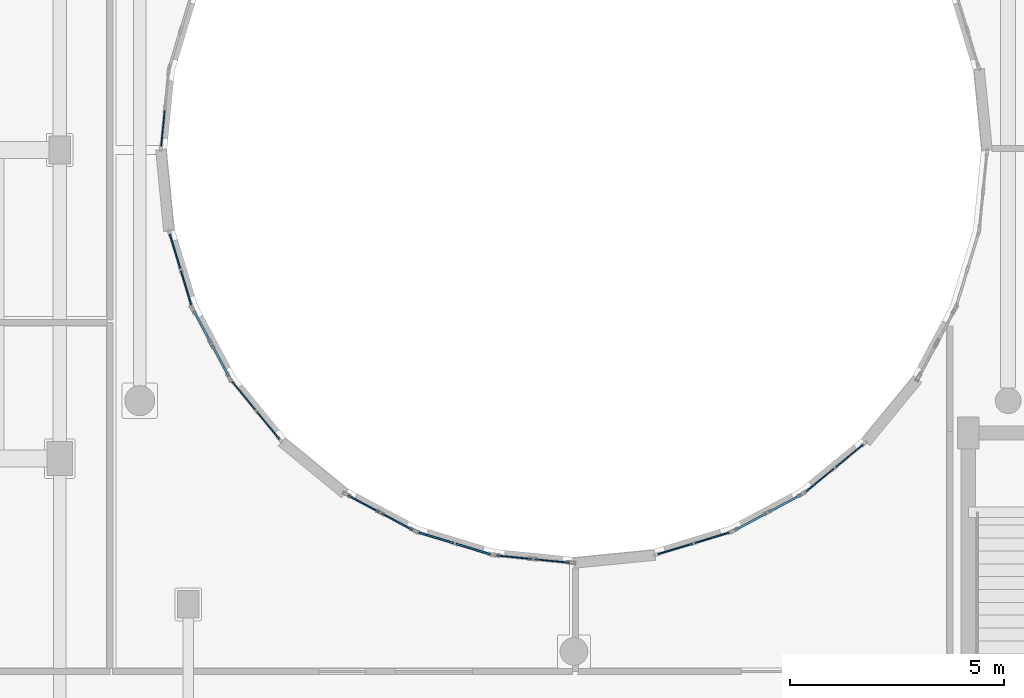
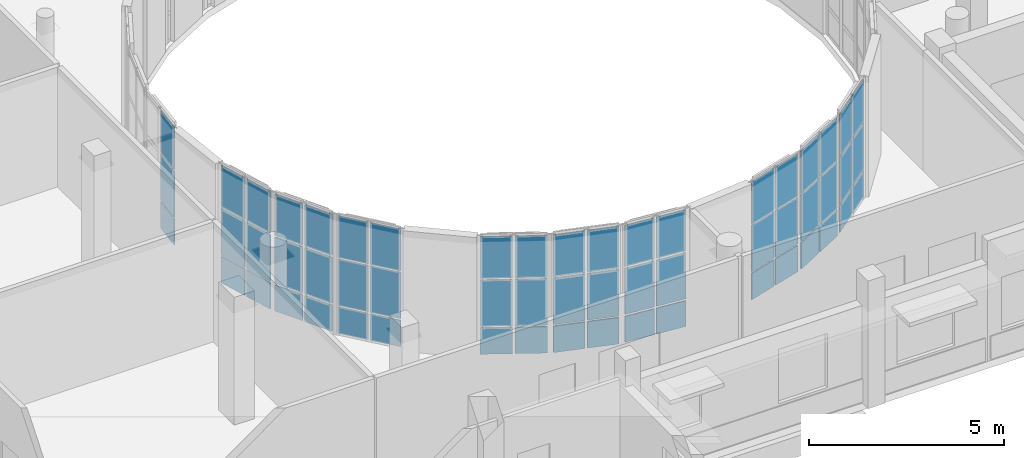
# One storey, part 59 of 89: 57 plates, 10 elements without a shape of their own.
"""IFC4 building model written with IfcOpenShell, lengths in metres."""

from ifc_helpers import new_model, si_unit, direction, frame, origin, origin_2d, place, context, subcontext, project, spatial, rectangle, extrude, material, layer, layer_set, type_object, element, aggregate, save


model = new_model("IFC4")

# Units and contexts
model_context = context("Model", 3, precision=1e-05, world=origin(), true_north=direction((0.0, 1.0)))
body_context = subcontext(model_context, "Body", "Model", "MODEL_VIEW")
ifc_project = project(units=[si_unit("LENGTHUNIT", "METRE"), si_unit("AREAUNIT", "SQUARE_METRE"), si_unit("VOLUMEUNIT", "CUBIC_METRE"), si_unit("PLANEANGLEUNIT", "RADIAN"), si_unit("MASSUNIT", "GRAM", prefix="KILO")], contexts=[model_context])

# Site, building, storey
site_placement = place(None, origin())
site = spatial("IfcSite", under=ifc_project, at=site_placement, CompositionType="ELEMENT")
building_placement = place(site_placement, origin())
building = spatial("IfcBuilding", under=site, at=building_placement, Name="Kelanivale Promenade Academy", CompositionType="ELEMENT")
storey_placement = place(building_placement, frame((0.0, 0.0, 12.199951171875)))
storey = spatial("IfcBuildingStorey", under=building, at=storey_placement, Name="L03", CompositionType="ELEMENT", Elevation=12.199951171875)

# Curtain wall, plates
ifc_material_1 = material(Name="Bronze anodised aluminium and solar-control low-E glass", Category="aluminium")
ifc_layer_1 = layer(ifc_material_1, 0.169921875)
ifc_layer_set_1 = layer_set([ifc_layer_1], Name="Bronze anodised aluminium and solar-control low-E glass")
curtain_wall_type_1 = type_object("IfcCurtainWallType", Name="CW-22 Curtain Wall 1800mm Module", PredefinedType="USERDEFINED", material=ifc_layer_set_1)
curtain_wall_1_placement = place(storey_placement, origin())
curtain_wall_1 = element("IfcCurtainWall", 1, at=curtain_wall_1_placement, inside=storey, type_object=curtain_wall_type_1, Name="L03 courtyard curtain wall CW-22", ObjectType="COURTYARD SCREEN GLAZING", PredefinedType="USERDEFINED")
ifc_material_2 = material(Name="Solar-control double glazing 28 mm", Category="glass")
ifc_layer_2 = layer(ifc_material_2, 0.028076171875)
ifc_layer_set_2 = layer_set([ifc_layer_2], Name="Solar-control double glazing 28 mm")
plate_type_1 = type_object("IfcPlateType", Name="CWP-01 Plate 28mm", PredefinedType="CURTAIN_PANEL", material=ifc_layer_set_2)
plate_1_placement = place(storey_placement, frame((89.208984375, 57.303466796875, 0.05029296875), z_axis=(0.0, 0.0, 1.0), x_axis=(-0.098538762159, -0.99513321337, 0.0)))
plate_1 = element("IfcPlate", 2, at=plate_1_placement, type_object=plate_type_1, Name="CW-22 panel 2.1", PredefinedType="CURTAIN_PANEL", context=body_context, shape_type="SweptSolid", body=[
    extrude(rectangle(XDim=0.83349609375, YDim=0.028076171875, at=origin_2d()), origin(), (0.0, 0.0, 1.0), 0.824951171875),
])
plate_2_placement = place(storey_placement, frame((89.208984375, 57.303466796875, 0.92529296875), z_axis=(0.0, 0.0, 1.0), x_axis=(-0.098538762159, -0.99513321337, 0.0)))
plate_2 = element("IfcPlate", 3, at=plate_2_placement, type_object=plate_type_1, Name="CW-22 panel 2.2", PredefinedType="CURTAIN_PANEL", context=body_context, shape_type="SweptSolid", body=[
    extrude(rectangle(XDim=0.83349609375, YDim=0.028076171875, at=origin_2d()), origin(), (0.0, 0.0, 1.0), 1.449951171875),
])
plate_3_placement = place(storey_placement, frame((89.208984375, 57.303466796875, 2.42529296875), z_axis=(0.0, 0.0, 1.0), x_axis=(-0.098538762159, -0.99513321337, 0.0)))
plate_3 = element("IfcPlate", 4, at=plate_3_placement, type_object=plate_type_1, Name="CW-22 panel 2.3", PredefinedType="CURTAIN_PANEL", context=body_context, shape_type="SweptSolid", body=[
    extrude(rectangle(XDim=0.83349609375, YDim=0.028076171875, at=origin_2d()), origin(), (0.0, 0.0, 1.0), 1.304931640625),
])
aggregate(curtain_wall_1, [plate_1, plate_2, plate_3])

ifc_layer_3 = layer(ifc_material_1, 0.169921875)
ifc_layer_set_3 = layer_set([ifc_layer_3], Name="Bronze anodised aluminium and solar-control low-E glass")
curtain_wall_type_2 = type_object("IfcCurtainWallType", Name="CW-01 Curtain Wall 1350mm Module", PredefinedType="USERDEFINED", material=ifc_layer_set_3)
curtain_wall_2_placement = place(storey_placement, origin())
curtain_wall_2 = element("IfcCurtainWall", 5, at=curtain_wall_2_placement, inside=storey, type_object=curtain_wall_type_2, Name="L03 courtyard curtain wall CW-01", ObjectType="UNITISED GLAZING", PredefinedType="USERDEFINED")
plate_4_placement = place(storey_placement, frame((91.09521484375, 51.064453125, 0.05029296875), z_axis=(0.0, 0.0, 1.0), x_axis=(0.634092539482, -0.773257170269, 0.0)))
plate_4 = element("IfcPlate", 6, at=plate_4_placement, type_object=plate_type_1, Name="CW-01 panel 1.1", PredefinedType="CURTAIN_PANEL", context=body_context, shape_type="SweptSolid", body=[
    extrude(rectangle(XDim=0.833251953125, YDim=0.028076171875, at=origin_2d()), origin(), (0.0, 0.0, 1.0), 0.824951171875),
])
plate_5_placement = place(storey_placement, frame((91.09521484375, 51.064453125, 0.92529296875), z_axis=(0.0, 0.0, 1.0), x_axis=(0.634092539482, -0.773257170269, 0.0)))
plate_5 = element("IfcPlate", 7, at=plate_5_placement, type_object=plate_type_1, Name="CW-01 panel 1.2", PredefinedType="CURTAIN_PANEL", context=body_context, shape_type="SweptSolid", body=[
    extrude(rectangle(XDim=0.833251953125, YDim=0.028076171875, at=origin_2d()), origin(), (0.0, 0.0, 1.0), 1.449951171875),
])
plate_6_placement = place(storey_placement, frame((91.09521484375, 51.064453125, 2.42529296875), z_axis=(0.0, 0.0, 1.0), x_axis=(0.634092539482, -0.773257170269, 0.0)))
plate_6 = element("IfcPlate", 8, at=plate_6_placement, type_object=plate_type_1, Name="CW-01 panel 1.3", PredefinedType="CURTAIN_PANEL", context=body_context, shape_type="SweptSolid", body=[
    extrude(rectangle(XDim=0.833251953125, YDim=0.028076171875, at=origin_2d()), origin(), (0.0, 0.0, 1.0), 1.304931640625),
])
plate_7_placement = place(storey_placement, frame((91.66162109375, 50.37353515625, 0.05029296875), z_axis=(0.0, 0.0, 1.0), x_axis=(0.634092539482, -0.773257170269, 0.0)))
plate_7 = element("IfcPlate", 9, at=plate_7_placement, type_object=plate_type_1, Name="CW-01 panel 2.1", PredefinedType="CURTAIN_PANEL", context=body_context, shape_type="SweptSolid", body=[
    extrude(rectangle(XDim=0.833251953125, YDim=0.028076171875, at=origin_2d()), origin(), (0.0, 0.0, 1.0), 0.824951171875),
])
plate_8_placement = place(storey_placement, frame((91.66162109375, 50.37353515625, 0.92529296875), z_axis=(0.0, 0.0, 1.0), x_axis=(0.634092539482, -0.773257170269, 0.0)))
plate_8 = element("IfcPlate", 10, at=plate_8_placement, type_object=plate_type_1, Name="CW-01 panel 2.2", PredefinedType="CURTAIN_PANEL", context=body_context, shape_type="SweptSolid", body=[
    extrude(rectangle(XDim=0.833251953125, YDim=0.028076171875, at=origin_2d()), origin(), (0.0, 0.0, 1.0), 1.449951171875),
])
plate_9_placement = place(storey_placement, frame((91.66162109375, 50.37353515625, 2.42529296875), z_axis=(0.0, 0.0, 1.0), x_axis=(0.634092539482, -0.773257170269, 0.0)))
plate_9 = element("IfcPlate", 11, at=plate_9_placement, type_object=plate_type_1, Name="CW-01 panel 2.3", PredefinedType="CURTAIN_PANEL", context=body_context, shape_type="SweptSolid", body=[
    extrude(rectangle(XDim=0.833251953125, YDim=0.028076171875, at=origin_2d()), origin(), (0.0, 0.0, 1.0), 1.304931640625),
])
aggregate(curtain_wall_2, [plate_4, plate_5, plate_6, plate_7, plate_8, plate_9])

ifc_layer_4 = layer(ifc_material_1, 0.169921875)
ifc_layer_set_4 = layer_set([ifc_layer_4], Name="Bronze anodised aluminium and solar-control low-E glass")
curtain_wall_type_3 = type_object("IfcCurtainWallType", Name="CW-04 Curtain Wall 1800mm Module", PredefinedType="USERDEFINED", material=ifc_layer_set_4)
curtain_wall_3_placement = place(storey_placement, origin())
curtain_wall_3 = element("IfcCurtainWall", 12, at=curtain_wall_3_placement, inside=storey, type_object=curtain_wall_type_3, Name="L03 courtyard curtain wall CW-04", ObjectType="UNITISED GLAZING", PredefinedType="USERDEFINED")
plate_10_placement = place(storey_placement, frame((97.40869140625, 47.296875, 0.06005859375), z_axis=(0.0, 0.0, 1.0), x_axis=(0.99513321337, -0.098538762159, 0.0)))
plate_10 = element("IfcPlate", 13, at=plate_10_placement, type_object=plate_type_1, Name="CW-04 panel 1.1", PredefinedType="CURTAIN_PANEL", context=body_context, shape_type="SweptSolid", body=[
    extrude(rectangle(XDim=0.825927734375, YDim=0.028076171875, at=origin_2d()), origin(), (0.0, 0.0, 1.0), 0.81005859375),
])
plate_11_placement = place(storey_placement, frame((97.40869140625, 47.296875, 0.93017578125), z_axis=(0.0, 0.0, 1.0), x_axis=(0.99513321337, -0.098538762159, 0.0)))
plate_11 = element("IfcPlate", 14, at=plate_11_placement, type_object=plate_type_1, Name="CW-04 panel 1.2", PredefinedType="CURTAIN_PANEL", context=body_context, shape_type="SweptSolid", body=[
    extrude(rectangle(XDim=0.825927734375, YDim=0.028076171875, at=origin_2d()), origin(), (0.0, 0.0, 1.0), 1.43994140625),
])
plate_12_placement = place(storey_placement, frame((97.40869140625, 47.296875, 2.429931640625), z_axis=(0.0, 0.0, 1.0), x_axis=(0.99513321337, -0.098538762159, 0.0)))
plate_12 = element("IfcPlate", 15, at=plate_12_placement, type_object=plate_type_1, Name="CW-04 panel 1.3", PredefinedType="CURTAIN_PANEL", context=body_context, shape_type="SweptSolid", body=[
    extrude(rectangle(XDim=0.825927734375, YDim=0.028076171875, at=origin_2d()), origin(), (0.0, 0.0, 1.0), 1.2900390625),
])
plate_13_placement = place(storey_placement, frame((98.29541015625, 47.208984375, 0.06005859375), z_axis=(0.0, 0.0, 1.0), x_axis=(0.99513321337, -0.098538762159, 0.0)))
plate_13 = element("IfcPlate", 16, at=plate_13_placement, type_object=plate_type_1, Name="CW-04 panel 2.1", PredefinedType="CURTAIN_PANEL", context=body_context, shape_type="SweptSolid", body=[
    extrude(rectangle(XDim=0.825927734375, YDim=0.028076171875, at=origin_2d()), origin(), (0.0, 0.0, 1.0), 0.81005859375),
])
plate_14_placement = place(storey_placement, frame((98.29541015625, 47.208984375, 0.93017578125), z_axis=(0.0, 0.0, 1.0), x_axis=(0.99513321337, -0.098538762159, 0.0)))
plate_14 = element("IfcPlate", 17, at=plate_14_placement, type_object=plate_type_1, Name="CW-04 panel 2.2", PredefinedType="CURTAIN_PANEL", context=body_context, shape_type="SweptSolid", body=[
    extrude(rectangle(XDim=0.825927734375, YDim=0.028076171875, at=origin_2d()), origin(), (0.0, 0.0, 1.0), 1.43994140625),
])
plate_15_placement = place(storey_placement, frame((98.29541015625, 47.208984375, 2.429931640625), z_axis=(0.0, 0.0, 1.0), x_axis=(0.99513321337, -0.098538762159, 0.0)))
plate_15 = element("IfcPlate", 18, at=plate_15_placement, type_object=plate_type_1, Name="CW-04 panel 2.3", PredefinedType="CURTAIN_PANEL", context=body_context, shape_type="SweptSolid", body=[
    extrude(rectangle(XDim=0.825927734375, YDim=0.028076171875, at=origin_2d()), origin(), (0.0, 0.0, 1.0), 1.2900390625),
])
aggregate(curtain_wall_3, [plate_10, plate_11, plate_12, plate_13, plate_14, plate_15])

ifc_layer_5 = layer(ifc_material_1, 0.169921875)
ifc_layer_set_5 = layer_set([ifc_layer_5], Name="Bronze anodised aluminium and solar-control low-E glass")
curtain_wall_type_4 = type_object("IfcCurtainWallType", Name="CW-07 Curtain Wall 1350mm Module", PredefinedType="USERDEFINED", material=ifc_layer_set_5)
curtain_wall_4_placement = place(storey_placement, origin())
curtain_wall_4 = element("IfcCurtainWall", 19, at=curtain_wall_4_placement, inside=storey, type_object=curtain_wall_type_4, Name="L03 courtyard curtain wall CW-07", ObjectType="UNITISED GLAZING", PredefinedType="USERDEFINED")
plate_16_placement = place(storey_placement, frame((104.53662109375, 49.095947265625, 0.05029296875), z_axis=(0.0, 0.0, 1.0), x_axis=(0.773257170269, 0.634092539482, 0.0)))
plate_16 = element("IfcPlate", 20, at=plate_16_placement, type_object=plate_type_1, Name="CW-07 panel 1.1", PredefinedType="CURTAIN_PANEL", context=body_context, shape_type="SweptSolid", body=[
    extrude(rectangle(XDim=0.825927734375, YDim=0.028076171875, at=origin_2d()), origin(), (0.0, 0.0, 1.0), 0.824951171875),
])
plate_17_placement = place(storey_placement, frame((104.53662109375, 49.095947265625, 0.92529296875), z_axis=(0.0, 0.0, 1.0), x_axis=(0.773257170269, 0.634092539482, 0.0)))
plate_17 = element("IfcPlate", 21, at=plate_17_placement, type_object=plate_type_1, Name="CW-07 panel 1.2", PredefinedType="CURTAIN_PANEL", context=body_context, shape_type="SweptSolid", body=[
    extrude(rectangle(XDim=0.825927734375, YDim=0.028076171875, at=origin_2d()), origin(), (0.0, 0.0, 1.0), 1.449951171875),
])
plate_18_placement = place(storey_placement, frame((104.53662109375, 49.095947265625, 2.42529296875), z_axis=(0.0, 0.0, 1.0), x_axis=(0.773257170269, 0.634092539482, 0.0)))
plate_18 = element("IfcPlate", 22, at=plate_18_placement, type_object=plate_type_1, Name="CW-07 panel 1.3", PredefinedType="CURTAIN_PANEL", context=body_context, shape_type="SweptSolid", body=[
    extrude(rectangle(XDim=0.825927734375, YDim=0.028076171875, at=origin_2d()), origin(), (0.0, 0.0, 1.0), 1.304931640625),
])
plate_19_placement = place(storey_placement, frame((105.225341796875, 49.660888671875, 0.05029296875), z_axis=(0.0, 0.0, 1.0), x_axis=(0.773257170269, 0.634092539482, 0.0)))
plate_19 = element("IfcPlate", 23, at=plate_19_placement, type_object=plate_type_1, Name="CW-07 panel 2.1", PredefinedType="CURTAIN_PANEL", context=body_context, shape_type="SweptSolid", body=[
    extrude(rectangle(XDim=0.825927734375, YDim=0.028076171875, at=origin_2d()), origin(), (0.0, 0.0, 1.0), 0.824951171875),
])
plate_20_placement = place(storey_placement, frame((105.225341796875, 49.660888671875, 0.92529296875), z_axis=(0.0, 0.0, 1.0), x_axis=(0.773257170269, 0.634092539482, 0.0)))
plate_20 = element("IfcPlate", 24, at=plate_20_placement, type_object=plate_type_1, Name="CW-07 panel 2.2", PredefinedType="CURTAIN_PANEL", context=body_context, shape_type="SweptSolid", body=[
    extrude(rectangle(XDim=0.825927734375, YDim=0.028076171875, at=origin_2d()), origin(), (0.0, 0.0, 1.0), 1.449951171875),
])
plate_21_placement = place(storey_placement, frame((105.225341796875, 49.660888671875, 2.42529296875), z_axis=(0.0, 0.0, 1.0), x_axis=(0.773257170269, 0.634092539482, 0.0)))
plate_21 = element("IfcPlate", 25, at=plate_21_placement, type_object=plate_type_1, Name="CW-07 panel 2.3", PredefinedType="CURTAIN_PANEL", context=body_context, shape_type="SweptSolid", body=[
    extrude(rectangle(XDim=0.825927734375, YDim=0.028076171875, at=origin_2d()), origin(), (0.0, 0.0, 1.0), 1.304931640625),
])
aggregate(curtain_wall_4, [plate_16, plate_17, plate_18, plate_19, plate_20, plate_21])

ifc_layer_6 = layer(ifc_material_1, 0.179931640625)
ifc_layer_set_6 = layer_set([ifc_layer_6], Name="Bronze anodised aluminium and solar-control low-E glass")
curtain_wall_type_5 = type_object("IfcCurtainWallType", Name="CW-23 Curtain Wall 1950mm Module", PredefinedType="USERDEFINED", material=ifc_layer_set_6)
curtain_wall_5_placement = place(storey_placement, origin())
curtain_wall_5 = element("IfcCurtainWall", 26, at=curtain_wall_5_placement, inside=storey, type_object=curtain_wall_type_5, Name="L03 courtyard curtain wall CW-23", ObjectType="COURTYARD SCREEN GLAZING", PredefinedType="USERDEFINED")
ifc_material_3 = material(Name="Acoustic laminated double glazing 36 mm", Category="glass")
ifc_layer_7 = layer(ifc_material_3, 0.035888671875)
ifc_layer_set_7 = layer_set([ifc_layer_7], Name="Acoustic laminated double glazing 36 mm")
plate_type_2 = type_object("IfcPlateType", Name="CWP-02 Plate 36mm", PredefinedType="CURTAIN_PANEL", material=ifc_layer_set_7)
plate_22_placement = place(storey_placement, frame((89.49169921875, 54.4345703125, 0.05029296875), z_axis=(0.0, 0.0, 1.0), x_axis=(0.290127576893, -0.956987977524, 0.0)))
plate_22 = element("IfcPlate", 27, at=plate_22_placement, type_object=plate_type_2, Name="CW-23 panel 1.1", PredefinedType="CURTAIN_PANEL", context=body_context, shape_type="SweptSolid", body=[
    extrude(rectangle(XDim=0.826171875, YDim=0.035888671875, at=origin_2d()), origin(), (0.0, 0.0, 1.0), 0.824951171875),
])
plate_23_placement = place(storey_placement, frame((89.49169921875, 54.4345703125, 0.92529296875), z_axis=(0.0, 0.0, 1.0), x_axis=(0.290127576893, -0.956987977524, 0.0)))
plate_23 = element("IfcPlate", 28, at=plate_23_placement, type_object=plate_type_2, Name="CW-23 panel 1.2", PredefinedType="CURTAIN_PANEL", context=body_context, shape_type="SweptSolid", body=[
    extrude(rectangle(XDim=0.826171875, YDim=0.035888671875, at=origin_2d()), origin(), (0.0, 0.0, 1.0), 1.449951171875),
])
plate_24_placement = place(storey_placement, frame((89.49169921875, 54.4345703125, 2.42529296875), z_axis=(0.0, 0.0, 1.0), x_axis=(0.290127576893, -0.956987977524, 0.0)))
plate_24 = element("IfcPlate", 29, at=plate_24_placement, type_object=plate_type_2, Name="CW-23 panel 1.3", PredefinedType="CURTAIN_PANEL", context=body_context, shape_type="SweptSolid", body=[
    extrude(rectangle(XDim=0.826171875, YDim=0.035888671875, at=origin_2d()), origin(), (0.0, 0.0, 1.0), 1.304931640625),
])
plate_25_placement = place(storey_placement, frame((89.750244140625, 53.58154296875, 0.05029296875), z_axis=(0.0, 0.0, 1.0), x_axis=(0.290127576893, -0.956987977524, 0.0)))
plate_25 = element("IfcPlate", 30, at=plate_25_placement, type_object=plate_type_2, Name="CW-23 panel 2.1", PredefinedType="CURTAIN_PANEL", context=body_context, shape_type="SweptSolid", body=[
    extrude(rectangle(XDim=0.826171875, YDim=0.035888671875, at=origin_2d()), origin(), (0.0, 0.0, 1.0), 0.824951171875),
])
plate_26_placement = place(storey_placement, frame((89.750244140625, 53.58154296875, 0.92529296875), z_axis=(0.0, 0.0, 1.0), x_axis=(0.290127576893, -0.956987977524, 0.0)))
plate_26 = element("IfcPlate", 31, at=plate_26_placement, type_object=plate_type_2, Name="CW-23 panel 2.2", PredefinedType="CURTAIN_PANEL", context=body_context, shape_type="SweptSolid", body=[
    extrude(rectangle(XDim=0.826171875, YDim=0.035888671875, at=origin_2d()), origin(), (0.0, 0.0, 1.0), 1.449951171875),
])
plate_27_placement = place(storey_placement, frame((89.750244140625, 53.58154296875, 2.42529296875), z_axis=(0.0, 0.0, 1.0), x_axis=(0.290127576893, -0.956987977524, 0.0)))
plate_27 = element("IfcPlate", 32, at=plate_27_placement, type_object=plate_type_2, Name="CW-23 panel 2.3", PredefinedType="CURTAIN_PANEL", context=body_context, shape_type="SweptSolid", body=[
    extrude(rectangle(XDim=0.826171875, YDim=0.035888671875, at=origin_2d()), origin(), (0.0, 0.0, 1.0), 1.304931640625),
])
aggregate(curtain_wall_5, [plate_22, plate_23, plate_24, plate_25, plate_26, plate_27])

ifc_layer_8 = layer(ifc_material_1, 0.179931640625)
ifc_layer_set_8 = layer_set([ifc_layer_8], Name="Bronze anodised aluminium and solar-control low-E glass")
curtain_wall_type_6 = type_object("IfcCurtainWallType", Name="CW-02 Curtain Wall 1500mm Module", PredefinedType="USERDEFINED", material=ifc_layer_set_8)
curtain_wall_6_placement = place(storey_placement, origin())
curtain_wall_6 = element("IfcCurtainWall", 33, at=curtain_wall_6_placement, inside=storey, type_object=curtain_wall_type_6, Name="L03 courtyard curtain wall CW-02", ObjectType="UNITISED GLAZING", PredefinedType="USERDEFINED")
plate_28_placement = place(storey_placement, frame((93.8896484375, 48.546142578125, 0.05029296875), z_axis=(0.0, 0.0, 1.0), x_axis=(0.881978204448, -0.471290193914, 0.0)))
plate_28 = element("IfcPlate", 34, at=plate_28_placement, type_object=plate_type_2, Name="CW-02 panel 1.1", PredefinedType="CURTAIN_PANEL", context=body_context, shape_type="SweptSolid", body=[
    extrude(rectangle(XDim=0.833984375, YDim=0.035888671875, at=origin_2d()), origin(), (0.0, 0.0, 1.0), 0.824951171875),
])
plate_29_placement = place(storey_placement, frame((93.8896484375, 48.546142578125, 0.92529296875), z_axis=(0.0, 0.0, 1.0), x_axis=(0.881978204448, -0.471290193914, 0.0)))
plate_29 = element("IfcPlate", 35, at=plate_29_placement, type_object=plate_type_2, Name="CW-02 panel 1.2", PredefinedType="CURTAIN_PANEL", context=body_context, shape_type="SweptSolid", body=[
    extrude(rectangle(XDim=0.833984375, YDim=0.035888671875, at=origin_2d()), origin(), (0.0, 0.0, 1.0), 1.449951171875),
])
plate_30_placement = place(storey_placement, frame((93.8896484375, 48.546142578125, 2.42529296875), z_axis=(0.0, 0.0, 1.0), x_axis=(0.881978204448, -0.471290193914, 0.0)))
plate_30 = element("IfcPlate", 36, at=plate_30_placement, type_object=plate_type_2, Name="CW-02 panel 1.3", PredefinedType="CURTAIN_PANEL", context=body_context, shape_type="SweptSolid", body=[
    extrude(rectangle(XDim=0.833984375, YDim=0.035888671875, at=origin_2d()), origin(), (0.0, 0.0, 1.0), 1.304931640625),
])
plate_31_placement = place(storey_placement, frame((94.67822265625, 48.124755859375, 0.05029296875), z_axis=(0.0, 0.0, 1.0), x_axis=(0.881978204448, -0.471290193914, 0.0)))
plate_31 = element("IfcPlate", 37, at=plate_31_placement, type_object=plate_type_2, Name="CW-02 panel 2.1", PredefinedType="CURTAIN_PANEL", context=body_context, shape_type="SweptSolid", body=[
    extrude(rectangle(XDim=0.833984375, YDim=0.035888671875, at=origin_2d()), origin(), (0.0, 0.0, 1.0), 0.824951171875),
])
plate_32_placement = place(storey_placement, frame((94.67822265625, 48.124755859375, 0.92529296875), z_axis=(0.0, 0.0, 1.0), x_axis=(0.881978204448, -0.471290193914, 0.0)))
plate_32 = element("IfcPlate", 38, at=plate_32_placement, type_object=plate_type_2, Name="CW-02 panel 2.2", PredefinedType="CURTAIN_PANEL", context=body_context, shape_type="SweptSolid", body=[
    extrude(rectangle(XDim=0.833984375, YDim=0.035888671875, at=origin_2d()), origin(), (0.0, 0.0, 1.0), 1.449951171875),
])
plate_33_placement = place(storey_placement, frame((94.67822265625, 48.124755859375, 2.42529296875), z_axis=(0.0, 0.0, 1.0), x_axis=(0.881978204448, -0.471290193914, 0.0)))
plate_33 = element("IfcPlate", 39, at=plate_33_placement, type_object=plate_type_2, Name="CW-02 panel 2.3", PredefinedType="CURTAIN_PANEL", context=body_context, shape_type="SweptSolid", body=[
    extrude(rectangle(XDim=0.833984375, YDim=0.035888671875, at=origin_2d()), origin(), (0.0, 0.0, 1.0), 1.304931640625),
])
aggregate(curtain_wall_6, [plate_28, plate_29, plate_30, plate_31, plate_32, plate_33])

ifc_layer_9 = layer(ifc_material_1, 0.179931640625)
ifc_layer_set_9 = layer_set([ifc_layer_9], Name="Bronze anodised aluminium and solar-control low-E glass")
curtain_wall_type_7 = type_object("IfcCurtainWallType", Name="CW-05 Curtain Wall 1950mm Module", PredefinedType="USERDEFINED", material=ifc_layer_set_9)
curtain_wall_7_placement = place(storey_placement, origin())
curtain_wall_7 = element("IfcCurtainWall", 40, at=curtain_wall_7_placement, inside=storey, type_object=curtain_wall_type_7, Name="L03 courtyard curtain wall CW-05", ObjectType="UNITISED GLAZING", PredefinedType="USERDEFINED")
plate_34_placement = place(storey_placement, frame((101.164306640625, 47.491455078125, 0.05029296875), z_axis=(0.0, 0.0, 1.0), x_axis=(0.956987977524, 0.290127576893, 0.0)))
plate_34 = element("IfcPlate", 41, at=plate_34_placement, type_object=plate_type_2, Name="CW-05 panel 1.1", PredefinedType="CURTAIN_PANEL", context=body_context, shape_type="SweptSolid", body=[
    extrude(rectangle(XDim=0.833740234375, YDim=0.035888671875, at=origin_2d()), origin(), (0.0, 0.0, 1.0), 0.824951171875),
])
plate_35_placement = place(storey_placement, frame((101.164306640625, 47.491455078125, 0.92529296875), z_axis=(0.0, 0.0, 1.0), x_axis=(0.956987977524, 0.290127576893, 0.0)))
plate_35 = element("IfcPlate", 42, at=plate_35_placement, type_object=plate_type_2, Name="CW-05 panel 1.2", PredefinedType="CURTAIN_PANEL", context=body_context, shape_type="SweptSolid", body=[
    extrude(rectangle(XDim=0.833740234375, YDim=0.035888671875, at=origin_2d()), origin(), (0.0, 0.0, 1.0), 1.449951171875),
])
plate_36_placement = place(storey_placement, frame((101.164306640625, 47.491455078125, 2.42529296875), z_axis=(0.0, 0.0, 1.0), x_axis=(0.956987977524, 0.290127576893, 0.0)))
plate_36 = element("IfcPlate", 43, at=plate_36_placement, type_object=plate_type_2, Name="CW-05 panel 1.3", PredefinedType="CURTAIN_PANEL", context=body_context, shape_type="SweptSolid", body=[
    extrude(rectangle(XDim=0.833740234375, YDim=0.035888671875, at=origin_2d()), origin(), (0.0, 0.0, 1.0), 1.304931640625),
])
plate_37_placement = place(storey_placement, frame((102.01953125, 47.750732421875, 0.05029296875), z_axis=(0.0, 0.0, 1.0), x_axis=(0.956987977524, 0.290127576893, 0.0)))
plate_37 = element("IfcPlate", 44, at=plate_37_placement, type_object=plate_type_2, Name="CW-05 panel 2.1", PredefinedType="CURTAIN_PANEL", context=body_context, shape_type="SweptSolid", body=[
    extrude(rectangle(XDim=0.833740234375, YDim=0.035888671875, at=origin_2d()), origin(), (0.0, 0.0, 1.0), 0.824951171875),
])
plate_38_placement = place(storey_placement, frame((102.01953125, 47.750732421875, 0.92529296875), z_axis=(0.0, 0.0, 1.0), x_axis=(0.956987977524, 0.290127576893, 0.0)))
plate_38 = element("IfcPlate", 45, at=plate_38_placement, type_object=plate_type_2, Name="CW-05 panel 2.2", PredefinedType="CURTAIN_PANEL", context=body_context, shape_type="SweptSolid", body=[
    extrude(rectangle(XDim=0.833740234375, YDim=0.035888671875, at=origin_2d()), origin(), (0.0, 0.0, 1.0), 1.449951171875),
])
plate_39_placement = place(storey_placement, frame((102.01953125, 47.750732421875, 2.42529296875), z_axis=(0.0, 0.0, 1.0), x_axis=(0.956987977524, 0.290127576893, 0.0)))
plate_39 = element("IfcPlate", 46, at=plate_39_placement, type_object=plate_type_2, Name="CW-05 panel 2.3", PredefinedType="CURTAIN_PANEL", context=body_context, shape_type="SweptSolid", body=[
    extrude(rectangle(XDim=0.833740234375, YDim=0.035888671875, at=origin_2d()), origin(), (0.0, 0.0, 1.0), 1.304931640625),
])
aggregate(curtain_wall_7, [plate_34, plate_35, plate_36, plate_37, plate_38, plate_39])

ifc_layer_10 = layer(ifc_material_1, 0.159912109375)
ifc_layer_set_10 = layer_set([ifc_layer_10], Name="Bronze anodised aluminium and solar-control low-E glass")
curtain_wall_type_8 = type_object("IfcCurtainWallType", Name="CW-24 Curtain Wall 1200mm Module", PredefinedType="USERDEFINED", material=ifc_layer_set_10)
curtain_wall_8_placement = place(storey_placement, origin())
curtain_wall_8 = element("IfcCurtainWall", 47, at=curtain_wall_8_placement, inside=storey, type_object=curtain_wall_type_8, Name="L03 courtyard curtain wall CW-24", ObjectType="COURTYARD SCREEN GLAZING", PredefinedType="USERDEFINED")
ifc_material_4 = material(Name="Insulated bronze aluminium spandrel panel 44 mm", Category="aluminium")
ifc_layer_11 = layer(ifc_material_4, 0.0439453125)
ifc_layer_set_11 = layer_set([ifc_layer_11], Name="Insulated bronze aluminium spandrel panel 44 mm")
plate_type_3 = type_object("IfcPlateType", Name="CWP-03 Plate 44mm", PredefinedType="CURTAIN_PANEL", material=ifc_layer_set_11)
plate_40_placement = place(storey_placement, frame((90.127197265625, 52.673828125, 0.06005859375), z_axis=(0.0, 0.0, 1.0), x_axis=(0.471312481286, -0.881966294698, 0.0)))
plate_40 = element("IfcPlate", 48, at=plate_40_placement, type_object=plate_type_3, Name="CW-24 panel 1.1", PredefinedType="CURTAIN_PANEL", context=body_context, shape_type="SweptSolid", body=[
    extrude(rectangle(XDim=0.833984375, YDim=0.0439453125, at=origin_2d()), origin(), (0.0, 0.0, 1.0), 0.81005859375),
])
plate_41_placement = place(storey_placement, frame((90.127197265625, 52.673828125, 0.93017578125), z_axis=(0.0, 0.0, 1.0), x_axis=(0.471312481286, -0.881966294698, 0.0)))
plate_41 = element("IfcPlate", 49, at=plate_41_placement, type_object=plate_type_3, Name="CW-24 panel 1.2", PredefinedType="CURTAIN_PANEL", context=body_context, shape_type="SweptSolid", body=[
    extrude(rectangle(XDim=0.833984375, YDim=0.0439453125, at=origin_2d()), origin(), (0.0, 0.0, 1.0), 1.43994140625),
])
plate_42_placement = place(storey_placement, frame((90.127197265625, 52.673828125, 2.429931640625), z_axis=(0.0, 0.0, 1.0), x_axis=(0.471312481286, -0.881966294698, 0.0)))
plate_42 = element("IfcPlate", 50, at=plate_42_placement, type_object=plate_type_3, Name="CW-24 panel 1.3", PredefinedType="CURTAIN_PANEL", context=body_context, shape_type="SweptSolid", body=[
    extrude(rectangle(XDim=0.833984375, YDim=0.0439453125, at=origin_2d()), origin(), (0.0, 0.0, 1.0), 1.2900390625),
])
plate_43_placement = place(storey_placement, frame((90.55078125, 51.881103515625, 0.06005859375), z_axis=(0.0, 0.0, 1.0), x_axis=(0.471312481286, -0.881966294698, 0.0)))
plate_43 = element("IfcPlate", 51, at=plate_43_placement, type_object=plate_type_3, Name="CW-24 panel 2.1", PredefinedType="CURTAIN_PANEL", context=body_context, shape_type="SweptSolid", body=[
    extrude(rectangle(XDim=0.833984375, YDim=0.0439453125, at=origin_2d()), origin(), (0.0, 0.0, 1.0), 0.81005859375),
])
plate_44_placement = place(storey_placement, frame((90.55078125, 51.881103515625, 0.93017578125), z_axis=(0.0, 0.0, 1.0), x_axis=(0.471312481286, -0.881966294698, 0.0)))
plate_44 = element("IfcPlate", 52, at=plate_44_placement, type_object=plate_type_3, Name="CW-24 panel 2.2", PredefinedType="CURTAIN_PANEL", context=body_context, shape_type="SweptSolid", body=[
    extrude(rectangle(XDim=0.833984375, YDim=0.0439453125, at=origin_2d()), origin(), (0.0, 0.0, 1.0), 1.43994140625),
])
plate_45_placement = place(storey_placement, frame((90.55078125, 51.881103515625, 2.429931640625), z_axis=(0.0, 0.0, 1.0), x_axis=(0.471312481286, -0.881966294698, 0.0)))
plate_45 = element("IfcPlate", 53, at=plate_45_placement, type_object=plate_type_3, Name="CW-24 panel 2.3", PredefinedType="CURTAIN_PANEL", context=body_context, shape_type="SweptSolid", body=[
    extrude(rectangle(XDim=0.833984375, YDim=0.0439453125, at=origin_2d()), origin(), (0.0, 0.0, 1.0), 1.2900390625),
])
aggregate(curtain_wall_8, [plate_40, plate_41, plate_42, plate_43, plate_44, plate_45])

ifc_layer_12 = layer(ifc_material_1, 0.159912109375)
ifc_layer_set_12 = layer_set([ifc_layer_12], Name="Bronze anodised aluminium and solar-control low-E glass")
curtain_wall_type_9 = type_object("IfcCurtainWallType", Name="CW-03 Curtain Wall 1650mm Module", PredefinedType="USERDEFINED", material=ifc_layer_set_12)
curtain_wall_9_placement = place(storey_placement, origin())
curtain_wall_9 = element("IfcCurtainWall", 54, at=curtain_wall_9_placement, inside=storey, type_object=curtain_wall_type_9, Name="L03 courtyard curtain wall CW-03", ObjectType="UNITISED GLAZING", PredefinedType="USERDEFINED")
plate_46_placement = place(storey_placement, frame((95.5849609375, 47.749267578125, 0.05029296875), z_axis=(0.0, 0.0, 1.0), x_axis=(0.957024404432, -0.290007395287, 0.0)))
plate_46 = element("IfcPlate", 55, at=plate_46_placement, type_object=plate_type_3, Name="CW-03 panel 1.1", PredefinedType="CURTAIN_PANEL", context=body_context, shape_type="SweptSolid", body=[
    extrude(rectangle(XDim=0.83349609375, YDim=0.0439453125, at=origin_2d()), origin(), (0.0, 0.0, 1.0), 0.824951171875),
])
plate_47_placement = place(storey_placement, frame((95.5849609375, 47.749267578125, 0.92529296875), z_axis=(0.0, 0.0, 1.0), x_axis=(0.957024404432, -0.290007395287, 0.0)))
plate_47 = element("IfcPlate", 56, at=plate_47_placement, type_object=plate_type_3, Name="CW-03 panel 1.2", PredefinedType="CURTAIN_PANEL", context=body_context, shape_type="SweptSolid", body=[
    extrude(rectangle(XDim=0.83349609375, YDim=0.0439453125, at=origin_2d()), origin(), (0.0, 0.0, 1.0), 1.449951171875),
])
plate_48_placement = place(storey_placement, frame((95.5849609375, 47.749267578125, 2.42529296875), z_axis=(0.0, 0.0, 1.0), x_axis=(0.957024404432, -0.290007395287, 0.0)))
plate_48 = element("IfcPlate", 57, at=plate_48_placement, type_object=plate_type_3, Name="CW-03 panel 1.3", PredefinedType="CURTAIN_PANEL", context=body_context, shape_type="SweptSolid", body=[
    extrude(rectangle(XDim=0.83349609375, YDim=0.0439453125, at=origin_2d()), origin(), (0.0, 0.0, 1.0), 1.304931640625),
])
plate_49_placement = place(storey_placement, frame((96.445068359375, 47.48876953125, 0.05029296875), z_axis=(0.0, 0.0, 1.0), x_axis=(0.957024404432, -0.290007395287, 0.0)))
plate_49 = element("IfcPlate", 58, at=plate_49_placement, type_object=plate_type_3, Name="CW-03 panel 2.1", PredefinedType="CURTAIN_PANEL", context=body_context, shape_type="SweptSolid", body=[
    extrude(rectangle(XDim=0.83349609375, YDim=0.0439453125, at=origin_2d()), origin(), (0.0, 0.0, 1.0), 0.824951171875),
])
plate_50_placement = place(storey_placement, frame((96.445068359375, 47.48876953125, 0.92529296875), z_axis=(0.0, 0.0, 1.0), x_axis=(0.957024404432, -0.290007395287, 0.0)))
plate_50 = element("IfcPlate", 59, at=plate_50_placement, type_object=plate_type_3, Name="CW-03 panel 2.2", PredefinedType="CURTAIN_PANEL", context=body_context, shape_type="SweptSolid", body=[
    extrude(rectangle(XDim=0.83349609375, YDim=0.0439453125, at=origin_2d()), origin(), (0.0, 0.0, 1.0), 1.449951171875),
])
plate_51_placement = place(storey_placement, frame((96.445068359375, 47.48876953125, 2.42529296875), z_axis=(0.0, 0.0, 1.0), x_axis=(0.957024404432, -0.290007395287, 0.0)))
plate_51 = element("IfcPlate", 60, at=plate_51_placement, type_object=plate_type_3, Name="CW-03 panel 2.3", PredefinedType="CURTAIN_PANEL", context=body_context, shape_type="SweptSolid", body=[
    extrude(rectangle(XDim=0.83349609375, YDim=0.0439453125, at=origin_2d()), origin(), (0.0, 0.0, 1.0), 1.304931640625),
])
aggregate(curtain_wall_9, [plate_46, plate_47, plate_48, plate_49, plate_50, plate_51])

ifc_layer_13 = layer(ifc_material_1, 0.159912109375)
ifc_layer_set_13 = layer_set([ifc_layer_13], Name="Bronze anodised aluminium and solar-control low-E glass")
curtain_wall_type_10 = type_object("IfcCurtainWallType", Name="CW-06 Curtain Wall 1200mm Module", PredefinedType="USERDEFINED", material=ifc_layer_set_13)
curtain_wall_10_placement = place(storey_placement, origin())
curtain_wall_10 = element("IfcCurtainWall", 61, at=curtain_wall_10_placement, inside=storey, type_object=curtain_wall_type_10, Name="L03 courtyard curtain wall CW-06", ObjectType="UNITISED GLAZING", PredefinedType="USERDEFINED")
plate_52_placement = place(storey_placement, frame((102.925048828125, 48.12646484375, 0.05029296875), z_axis=(0.0, 0.0, 1.0), x_axis=(0.881966294698, 0.471312481286, 0.0)))
plate_52 = element("IfcPlate", 62, at=plate_52_placement, type_object=plate_type_3, Name="CW-06 panel 1.1", PredefinedType="CURTAIN_PANEL", context=body_context, shape_type="SweptSolid", body=[
    extrude(rectangle(XDim=0.841552734375, YDim=0.0439453125, at=origin_2d()), origin(), (0.0, 0.0, 1.0), 0.824951171875),
])
plate_53_placement = place(storey_placement, frame((102.925048828125, 48.12646484375, 0.92529296875), z_axis=(0.0, 0.0, 1.0), x_axis=(0.881966294698, 0.471312481286, 0.0)))
plate_53 = element("IfcPlate", 63, at=plate_53_placement, type_object=plate_type_3, Name="CW-06 panel 1.2", PredefinedType="CURTAIN_PANEL", context=body_context, shape_type="SweptSolid", body=[
    extrude(rectangle(XDim=0.841552734375, YDim=0.0439453125, at=origin_2d()), origin(), (0.0, 0.0, 1.0), 1.449951171875),
])
plate_54_placement = place(storey_placement, frame((102.925048828125, 48.12646484375, 2.42529296875), z_axis=(0.0, 0.0, 1.0), x_axis=(0.881966294698, 0.471312481286, 0.0)))
plate_54 = element("IfcPlate", 64, at=plate_54_placement, type_object=plate_type_3, Name="CW-06 panel 1.3", PredefinedType="CURTAIN_PANEL", context=body_context, shape_type="SweptSolid", body=[
    extrude(rectangle(XDim=0.841552734375, YDim=0.0439453125, at=origin_2d()), origin(), (0.0, 0.0, 1.0), 1.304931640625),
])
plate_55_placement = place(storey_placement, frame((103.719970703125, 48.551513671875, 0.05029296875), z_axis=(0.0, 0.0, 1.0), x_axis=(0.881966294698, 0.471312481286, 0.0)))
plate_55 = element("IfcPlate", 65, at=plate_55_placement, type_object=plate_type_3, Name="CW-06 panel 2.1", PredefinedType="CURTAIN_PANEL", context=body_context, shape_type="SweptSolid", body=[
    extrude(rectangle(XDim=0.841552734375, YDim=0.0439453125, at=origin_2d()), origin(), (0.0, 0.0, 1.0), 0.824951171875),
])
plate_56_placement = place(storey_placement, frame((103.719970703125, 48.551513671875, 0.92529296875), z_axis=(0.0, 0.0, 1.0), x_axis=(0.881966294698, 0.471312481286, 0.0)))
plate_56 = element("IfcPlate", 66, at=plate_56_placement, type_object=plate_type_3, Name="CW-06 panel 2.2", PredefinedType="CURTAIN_PANEL", context=body_context, shape_type="SweptSolid", body=[
    extrude(rectangle(XDim=0.841552734375, YDim=0.0439453125, at=origin_2d()), origin(), (0.0, 0.0, 1.0), 1.449951171875),
])
plate_57_placement = place(storey_placement, frame((103.719970703125, 48.551513671875, 2.42529296875), z_axis=(0.0, 0.0, 1.0), x_axis=(0.881966294698, 0.471312481286, 0.0)))
plate_57 = element("IfcPlate", 67, at=plate_57_placement, type_object=plate_type_3, Name="CW-06 panel 2.3", PredefinedType="CURTAIN_PANEL", context=body_context, shape_type="SweptSolid", body=[
    extrude(rectangle(XDim=0.841552734375, YDim=0.0439453125, at=origin_2d()), origin(), (0.0, 0.0, 1.0), 1.304931640625),
])
aggregate(curtain_wall_10, [plate_52, plate_53, plate_54, plate_55, plate_56, plate_57])

save(model, "model.ifc")
